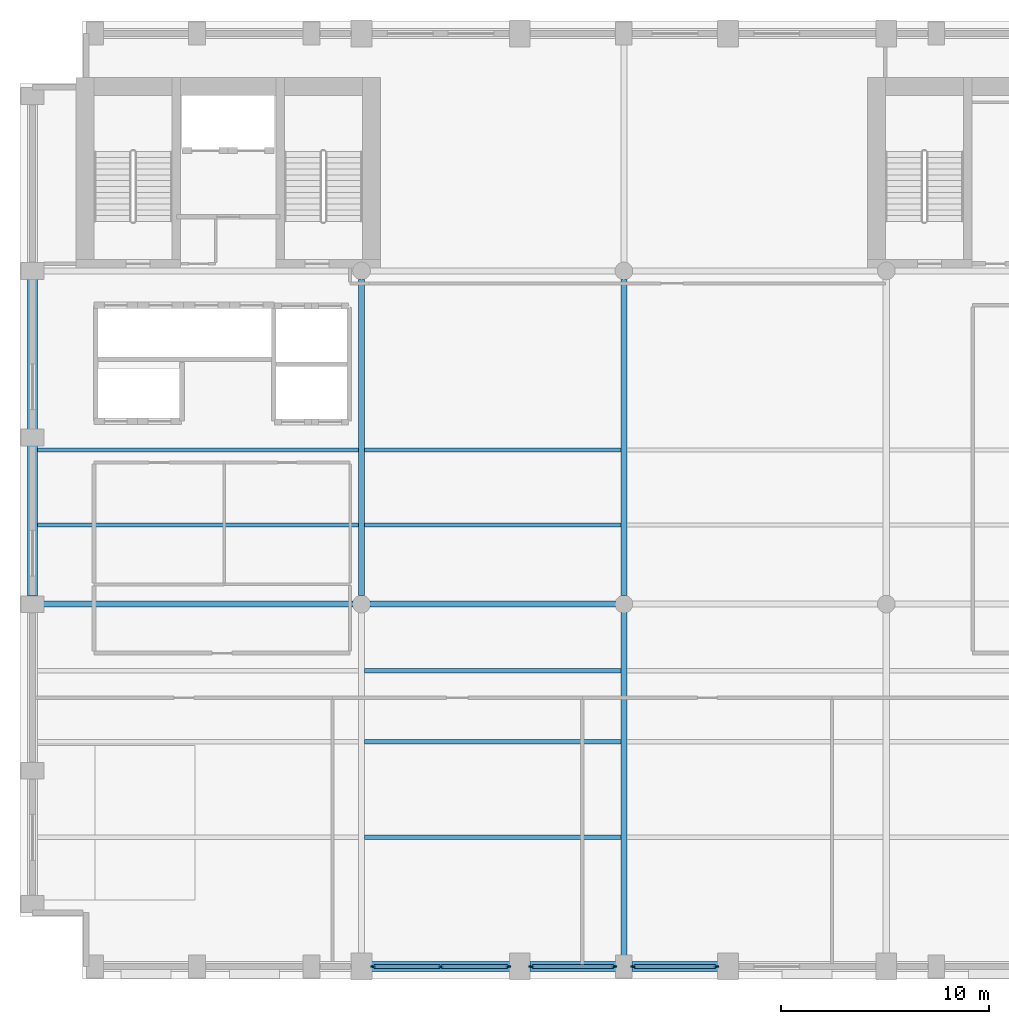
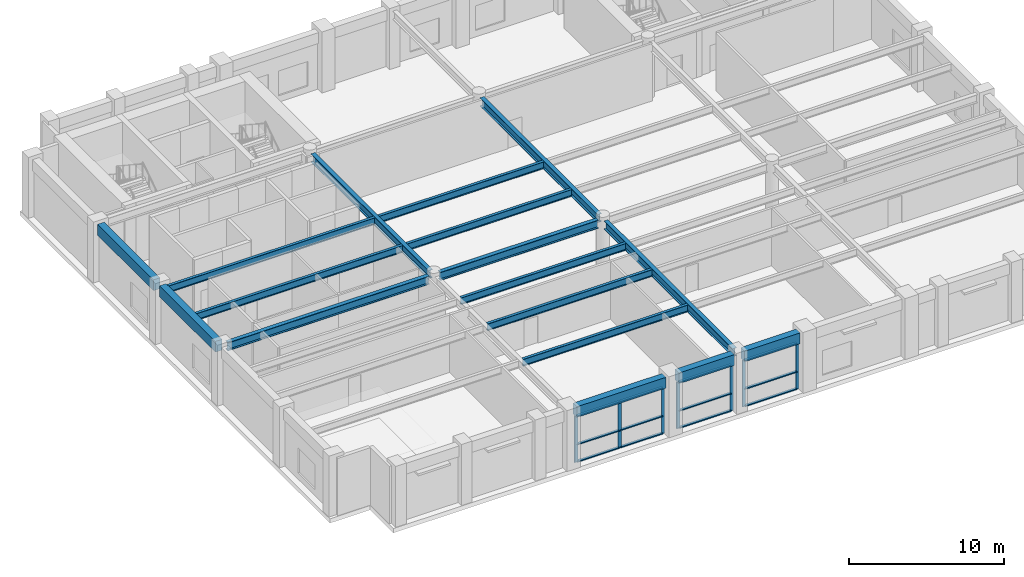
# One storey, part 2 of 10: 19 members, 17 beams, 3 elements without a shape of their own.
"""IFC4 building model written with IfcOpenShell, lengths in metres."""

from ifc_helpers import new_model, si_unit, direction, frame, origin, origin_2d, place, context, subcontext, project, spatial, rectangle, i_section, extrude, material, layer, layer_set, material_profile, profile_set, type_object, element, aggregate, save


model = new_model("IFC4")

# Units and contexts
model_context = context("Model", 3, precision=1e-05, world=origin(), true_north=direction((0.0, 1.0)))
body_context = subcontext(model_context, "Body", "Model", "MODEL_VIEW")
ifc_project = project(units=[si_unit("LENGTHUNIT", "METRE"), si_unit("AREAUNIT", "SQUARE_METRE"), si_unit("VOLUMEUNIT", "CUBIC_METRE"), si_unit("PLANEANGLEUNIT", "RADIAN"), si_unit("MASSUNIT", "GRAM", prefix="KILO")], contexts=[model_context])

# Site, building, storey
site_placement = place(None, origin())
site = spatial("IfcSite", under=ifc_project, at=site_placement, CompositionType="ELEMENT")
building_placement = place(site_placement, origin())
building = spatial("IfcBuilding", under=site, at=building_placement, Name="Sulina Concourse Tower", CompositionType="ELEMENT")
storey_placement = place(building_placement, frame((0.0, 0.0, 165.800048828125)))
storey = spatial("IfcBuildingStorey", under=building, at=storey_placement, Name="L40", CompositionType="ELEMENT", Elevation=165.800048828125)

# Beams
ifc_material_1 = material(Name="Steel S355", Category="steel")
ifc_material_profile_1 = material_profile(ifc_material_1, i_section(OverallWidth=0.2099609375, OverallDepth=0.550048828125, WebThickness=0.010986328125, FlangeThickness=0.01708984375, at=origin_2d()), Name="IPE 550")
ifc_profile_set_1 = profile_set([ifc_material_profile_1], Name="Steel S355")
beam_type_1 = type_object("IfcBeamType", Name="Composite Floor Joist IPE550", PredefinedType="JOIST", material=ifc_profile_set_1)
for number, where, z_axis, x_axis, name in (
    (1, (16.550048828125, 6.800048828125, 4.25), (1.0, 0.0, 0.0), (0.0, 1.0, 0.0), "FJ-J06-2-L40"),
    (2, (16.550048828125, 11.39990234375, 4.25), (1.0, 0.0, 0.0), (0.0, 1.0, 0.0), "FJ-J11-2-L40"),
    (3, (16.550048828125, 14.800048828125, 4.25), (1.0, 0.0, 0.0), (0.0, 1.0, 0.0), "FJ-J15-2-L40"),
):
    element("IfcBeam", number, at=place(storey_placement, frame(where, z_axis=z_axis, x_axis=x_axis)), inside=storey, type_object=beam_type_1, Name=name, PredefinedType="JOIST", context=body_context, shape_type="SweptSolid", body=[
        extrude(i_section(OverallWidth=0.2099609375, OverallDepth=0.550048828125, WebThickness=0.010986328125, FlangeThickness=0.01708984375, at=origin_2d()), origin(), (0.0, 0.0, 1.0), 12.300048828125),
    ])
beam_1_placement = place(storey_placement, frame((0.85009765625, 21.800048828125, 4.25), z_axis=(1.0, 0.0, 0.0), x_axis=(0.0, 1.0, 0.0)))
element("IfcBeam", 4, at=beam_1_placement, inside=storey, type_object=beam_type_1, Name="FJ-J22-1-L40", PredefinedType="JOIST", context=body_context, shape_type="SweptSolid", body=[
    extrude(i_section(OverallWidth=0.2099609375, OverallDepth=0.550048828125, WebThickness=0.010986328125, FlangeThickness=0.01708984375, at=origin_2d()), origin(), (0.0, 0.0, 1.0), 15.39990234375),
])
beam_2_placement = place(storey_placement, frame((16.550048828125, 21.800048828125, 4.25), z_axis=(1.0, 0.0, 0.0), x_axis=(0.0, 1.0, 0.0)))
element("IfcBeam", 5, at=beam_2_placement, inside=storey, type_object=beam_type_1, Name="FJ-J22-2-L40", PredefinedType="JOIST", context=body_context, shape_type="SweptSolid", body=[
    extrude(i_section(OverallWidth=0.2099609375, OverallDepth=0.550048828125, WebThickness=0.010986328125, FlangeThickness=0.01708984375, at=origin_2d()), origin(), (0.0, 0.0, 1.0), 12.300048828125),
])
beam_3_placement = place(storey_placement, frame((0.85009765625, 25.39990234375, 4.25), z_axis=(1.0, 0.0, 0.0), x_axis=(0.0, 1.0, 0.0)))
element("IfcBeam", 6, at=beam_3_placement, inside=storey, type_object=beam_type_1, Name="FJ-J25-1-L40", PredefinedType="JOIST", context=body_context, shape_type="SweptSolid", body=[
    extrude(i_section(OverallWidth=0.2099609375, OverallDepth=0.550048828125, WebThickness=0.010986328125, FlangeThickness=0.01708984375, at=origin_2d()), origin(), (0.0, 0.0, 1.0), 15.39990234375),
])
beam_4_placement = place(storey_placement, frame((16.550048828125, 25.39990234375, 4.25), z_axis=(1.0, 0.0, 0.0), x_axis=(0.0, 1.0, 0.0)))
element("IfcBeam", 7, at=beam_4_placement, inside=storey, type_object=beam_type_1, Name="FJ-J25-2-L40", PredefinedType="JOIST", context=body_context, shape_type="SweptSolid", body=[
    extrude(i_section(OverallWidth=0.2099609375, OverallDepth=0.550048828125, WebThickness=0.010986328125, FlangeThickness=0.01708984375, at=origin_2d()), origin(), (0.0, 0.0, 1.0), 12.300048828125),
])
ifc_material_2 = material(Name="Steel S355", Category="steel")
ifc_material_profile_2 = material_profile(ifc_material_2, i_section(OverallWidth=0.300048828125, OverallDepth=0.64990234375, WebThickness=0.01611328125, FlangeThickness=0.031005859375, at=origin_2d()), Name="HE 650 B")
ifc_profile_set_2 = profile_set([ifc_material_profile_2], Name="Steel S355")
beam_type_2 = type_object("IfcBeamType", Name="Floor Primary Girder Zone 2 HE650B", PredefinedType="BEAM", material=ifc_profile_set_2)
beam_5_placement = place(storey_placement, frame((0.97998046875, 18.0, 4.199951171875), z_axis=(1.0, 0.0, 0.0), x_axis=(0.0, 1.0, 0.0)))
element("IfcBeam", 8, at=beam_5_placement, inside=storey, type_object=beam_type_2, Name="FG-EW1-L40", PredefinedType="BEAM", context=body_context, shape_type="SweptSolid", body=[
    extrude(i_section(OverallWidth=0.300048828125, OverallDepth=0.64990234375, WebThickness=0.01611328125, FlangeThickness=0.031005859375, at=origin_2d()), origin(), (0.0, 0.0, 1.0), 15.01513671875),
])
beam_6_placement = place(storey_placement, frame((16.804931640625, 18.0, 4.199951171875), z_axis=(1.0, 0.0, 0.0), x_axis=(0.0, 1.0, 0.0)))
element("IfcBeam", 9, at=beam_6_placement, inside=storey, type_object=beam_type_2, Name="FG-EW2-L40", PredefinedType="BEAM", context=body_context, shape_type="SweptSolid", body=[
    extrude(i_section(OverallWidth=0.300048828125, OverallDepth=0.64990234375, WebThickness=0.01611328125, FlangeThickness=0.031005859375, at=origin_2d()), origin(), (0.0, 0.0, 1.0), 11.7900390625),
])
beam_7_placement = place(storey_placement, frame((16.39990234375, 18.405029296875, 4.199951171875), z_axis=(0.0, 1.0, 0.0), x_axis=(-1.0, 0.0, 0.0)))
element("IfcBeam", 10, at=beam_7_placement, inside=storey, type_object=beam_type_2, Name="FG-NSB-16-L40", PredefinedType="BEAM", context=body_context, shape_type="SweptSolid", body=[
    extrude(i_section(OverallWidth=0.300048828125, OverallDepth=0.64990234375, WebThickness=0.01611328125, FlangeThickness=0.031005859375, at=origin_2d()), origin(), (0.0, 0.0, 1.0), 15.18994140625),
])
beam_8_placement = place(storey_placement, frame((29.0, 0.97998046875, 4.199951171875), z_axis=(0.0, 1.0, 0.0), x_axis=(-1.0, 0.0, 0.0)))
element("IfcBeam", 11, at=beam_8_placement, inside=storey, type_object=beam_type_2, Name="FG-NSA-29-L40", PredefinedType="BEAM", context=body_context, shape_type="SweptSolid", body=[
    extrude(i_section(OverallWidth=0.300048828125, OverallDepth=0.64990234375, WebThickness=0.01611328125, FlangeThickness=0.031005859375, at=origin_2d()), origin(), (0.0, 0.0, 1.0), 16.614990234375),
])
beam_9_placement = place(storey_placement, frame((29.0, 18.405029296875, 4.199951171875), z_axis=(0.0, 1.0, 0.0), x_axis=(-1.0, 0.0, 0.0)))
element("IfcBeam", 12, at=beam_9_placement, inside=storey, type_object=beam_type_2, Name="FG-NSB-29-L40", PredefinedType="BEAM", context=body_context, shape_type="SweptSolid", body=[
    extrude(i_section(OverallWidth=0.300048828125, OverallDepth=0.64990234375, WebThickness=0.01611328125, FlangeThickness=0.031005859375, at=origin_2d()), origin(), (0.0, 0.0, 1.0), 15.18994140625),
])
ifc_material_3 = material(Name="Precast concrete C50/60", Category="concrete")
ifc_material_profile_3 = material_profile(ifc_material_3, rectangle(XDim=0.5, YDim=0.85009765625, at=origin_2d()), Name="RC 500x850")
ifc_profile_set_3 = profile_set([ifc_material_profile_3], Name="Precast concrete C50/60")
beam_type_3 = type_object("IfcBeamType", Name="Lower Precast Spandrel Edge Beam 500x850", PredefinedType="BEAM", material=ifc_profile_set_3)
beam_10_placement = place(storey_placement, frame((16.8798828125, 0.60009765625, 4.099853515625), z_axis=(1.0, 0.0, 0.0), x_axis=(0.0, 1.0, 0.0)))
element("IfcBeam", 13, at=beam_10_placement, inside=storey, type_object=beam_type_3, Name="SP-S4-L40", PredefinedType="BEAM", context=body_context, shape_type="SweptSolid", body=[
    extrude(rectangle(XDim=0.5, YDim=0.85009765625, at=origin_2d()), origin(), (0.0, 0.0, 1.0), 6.64013671875),
])
for number, where, z_axis, x_axis, name in (
    (14, (24.47998046875, 0.60009765625, 4.099853515625), (1.0, 0.0, 0.0), (0.0, 1.0, 0.0), "SP-S5-L40"),
    (15, (29.3798828125, 0.60009765625, 4.099853515625), (1.0, 0.0, 0.0), (0.0, 1.0, 0.0), "SP-S6-L40"),
):
    element("IfcBeam", number, at=place(storey_placement, frame(where, z_axis=z_axis, x_axis=x_axis)), inside=storey, type_object=beam_type_3, Name=name, PredefinedType="BEAM", context=body_context, shape_type="SweptSolid", body=[
        extrude(rectangle(XDim=0.5, YDim=0.85009765625, at=origin_2d()), origin(), (0.0, 0.0, 1.0), 4.14013671875),
    ])
for number, where, z_axis, x_axis, name in (
    (16, (0.60009765625, 18.3798828125, 4.099853515625), (0.0, 1.0, 0.0), (-1.0, 0.0, 0.0), "SP-W3-L40"),
    (17, (0.60009765625, 26.3798828125, 4.099853515625), (0.0, 1.0, 0.0), (-1.0, 0.0, 0.0), "SP-W4-L40"),
):
    element("IfcBeam", number, at=place(storey_placement, frame(where, z_axis=z_axis, x_axis=x_axis)), inside=storey, type_object=beam_type_3, Name=name, PredefinedType="BEAM", context=body_context, shape_type="SweptSolid", body=[
        extrude(rectangle(XDim=0.5, YDim=0.85009765625, at=origin_2d()), origin(), (0.0, 0.0, 1.0), 7.240234375),
    ])

# Curtain wall, members
ifc_material_4 = material(Name="Anodised bronze aluminium", Category="aluminium")
ifc_layer = layer(ifc_material_4, 0.260009765625)
ifc_layer_set = layer_set([ifc_layer], Name="Anodised bronze aluminium")
curtain_wall_type = type_object("IfcCurtainWallType", Name="Sky-Lobby Panorama Curtain Wall System", PredefinedType="NOTDEFINED", material=ifc_layer_set)
curtain_wall_1_placement = place(storey_placement, origin())
curtain_wall_1 = element("IfcCurtainWall", 18, at=curtain_wall_1_placement, inside=storey, type_object=curtain_wall_type, Name="L40 glazed curtain wall S4", PredefinedType="NOTDEFINED")
ifc_material_5 = material(Name="Anodised bronze aluminium", Category="aluminium")
ifc_material_profile_4 = material_profile(ifc_material_5, rectangle(XDim=0.080078125, YDim=0.239990234375, at=origin_2d()), Name="MUL 80x240")
ifc_profile_set_4 = profile_set([ifc_material_profile_4], Name="Anodised bronze aluminium")
member_type_1 = type_object("IfcMemberType", Name="Sky-Lobby Panorama Curtain Wall System Mullion 80x240", PredefinedType="MULLION", material=ifc_profile_set_4)
member_1_placement = place(storey_placement, frame((23.43994140625, 0.60009765625, 0.0), z_axis=(0.0, 0.0, 1.0), x_axis=(0.0, -1.0, 0.0)))
member_1 = element("IfcMember", 19, at=member_1_placement, type_object=member_type_1, Name="CW-03 mullion 1", PredefinedType="MULLION", context=body_context, shape_type="SweptSolid", body=[
    extrude(rectangle(XDim=0.080078125, YDim=0.239990234375, at=origin_2d()), origin(), (0.0, 0.0, 1.0), 3.675048828125),
])
member_2_placement = place(storey_placement, frame((20.199951171875, 0.60009765625, 0.0), z_axis=(0.0, 0.0, 1.0), x_axis=(0.0, -1.0, 0.0)))
member_2 = element("IfcMember", 20, at=member_2_placement, type_object=member_type_1, Name="CW-03 mullion 2", PredefinedType="MULLION", context=body_context, shape_type="SweptSolid", body=[
    extrude(rectangle(XDim=0.080078125, YDim=0.239990234375, at=origin_2d()), origin(), (0.0, 0.0, 1.0), 3.675048828125),
])
member_3_placement = place(storey_placement, frame((16.9599609375, 0.60009765625, 0.0), z_axis=(0.0, 0.0, 1.0), x_axis=(0.0, -1.0, 0.0)))
member_3 = element("IfcMember", 21, at=member_3_placement, type_object=member_type_1, Name="CW-03 mullion 3", PredefinedType="MULLION", context=body_context, shape_type="SweptSolid", body=[
    extrude(rectangle(XDim=0.080078125, YDim=0.239990234375, at=origin_2d()), origin(), (0.0, 0.0, 1.0), 3.675048828125),
])

curtain_wall_2_placement = place(storey_placement, origin())
curtain_wall_2 = element("IfcCurtainWall", 22, at=curtain_wall_2_placement, inside=storey, type_object=curtain_wall_type, Name="L40 glazed curtain wall S5", PredefinedType="NOTDEFINED")
member_4_placement = place(storey_placement, frame((28.5400390625, 0.60009765625, 0.0), z_axis=(0.0, 0.0, 1.0), x_axis=(0.0, -1.0, 0.0)))
member_4 = element("IfcMember", 23, at=member_4_placement, type_object=member_type_1, Name="CW-03 mullion 1", PredefinedType="MULLION", context=body_context, shape_type="SweptSolid", body=[
    extrude(rectangle(XDim=0.080078125, YDim=0.239990234375, at=origin_2d()), origin(), (0.0, 0.0, 1.0), 3.675048828125),
])
member_5_placement = place(storey_placement, frame((24.56005859375, 0.60009765625, 0.0), z_axis=(0.0, 0.0, 1.0), x_axis=(0.0, -1.0, 0.0)))
member_5 = element("IfcMember", 24, at=member_5_placement, type_object=member_type_1, Name="CW-03 mullion 2", PredefinedType="MULLION", context=body_context, shape_type="SweptSolid", body=[
    extrude(rectangle(XDim=0.080078125, YDim=0.239990234375, at=origin_2d()), origin(), (0.0, 0.0, 1.0), 3.675048828125),
])

curtain_wall_3_placement = place(storey_placement, origin())
curtain_wall_3 = element("IfcCurtainWall", 25, at=curtain_wall_3_placement, inside=storey, type_object=curtain_wall_type, Name="L40 glazed curtain wall S6", PredefinedType="NOTDEFINED")
member_6_placement = place(storey_placement, frame((33.43994140625, 0.60009765625, 0.0), z_axis=(0.0, 0.0, 1.0), x_axis=(0.0, -1.0, 0.0)))
member_6 = element("IfcMember", 26, at=member_6_placement, type_object=member_type_1, Name="CW-03 mullion 1", PredefinedType="MULLION", context=body_context, shape_type="SweptSolid", body=[
    extrude(rectangle(XDim=0.080078125, YDim=0.239990234375, at=origin_2d()), origin(), (0.0, 0.0, 1.0), 3.675048828125),
])
member_7_placement = place(storey_placement, frame((29.4599609375, 0.60009765625, 0.0), z_axis=(0.0, 0.0, 1.0), x_axis=(0.0, -1.0, 0.0)))
member_7 = element("IfcMember", 27, at=member_7_placement, type_object=member_type_1, Name="CW-03 mullion 2", PredefinedType="MULLION", context=body_context, shape_type="SweptSolid", body=[
    extrude(rectangle(XDim=0.080078125, YDim=0.239990234375, at=origin_2d()), origin(), (0.0, 0.0, 1.0), 3.675048828125),
])

# Member
ifc_material_6 = material(Name="Anodised bronze aluminium", Category="aluminium")
ifc_material_profile_5 = material_profile(ifc_material_6, rectangle(XDim=0.195068359375, YDim=0.080078125, at=origin_2d()), Name="TRN 80x195")
ifc_profile_set_5 = profile_set([ifc_material_profile_5], Name="Anodised bronze aluminium")
member_type_2 = type_object("IfcMemberType", Name="Sky-Lobby Panorama Curtain Wall System Transom 80x195", PredefinedType="USERDEFINED", material=ifc_profile_set_5)
member_8_placement = place(storey_placement, frame((23.39990234375, 0.60009765625, 0.0400390625), z_axis=(-1.0, 0.0, 0.0), x_axis=(0.0, -1.0, 0.0)))
member_8 = element("IfcMember", 28, at=member_8_placement, type_object=member_type_2, Name="CW-03 transom 1.1", ObjectType="TRANSOM", PredefinedType="USERDEFINED", context=body_context, shape_type="SweptSolid", body=[
    extrude(rectangle(XDim=0.195068359375, YDim=0.080078125, at=origin_2d()), origin(), (0.0, 0.0, 1.0), 3.159912109375),
])

member_9_placement = place(storey_placement, frame((23.39990234375, 0.60009765625, 1.396484375), z_axis=(-1.0, 0.0, 0.0), x_axis=(0.0, -1.0, 0.0)))
member_9 = element("IfcMember", 29, at=member_9_placement, type_object=member_type_2, Name="CW-03 transom 1.2", ObjectType="TRANSOM", PredefinedType="USERDEFINED", context=body_context, shape_type="SweptSolid", body=[
    extrude(rectangle(XDim=0.195068359375, YDim=0.080078125, at=origin_2d()), origin(), (0.0, 0.0, 1.0), 3.159912109375),
])

member_10_placement = place(storey_placement, frame((23.39990234375, 0.60009765625, 3.635009765625), z_axis=(-1.0, 0.0, 0.0), x_axis=(0.0, -1.0, 0.0)))
member_10 = element("IfcMember", 30, at=member_10_placement, type_object=member_type_2, Name="CW-03 transom 1.3", ObjectType="TRANSOM", PredefinedType="USERDEFINED", context=body_context, shape_type="SweptSolid", body=[
    extrude(rectangle(XDim=0.195068359375, YDim=0.080078125, at=origin_2d()), origin(), (0.0, 0.0, 1.0), 3.159912109375),
])

member_11_placement = place(storey_placement, frame((20.159912109375, 0.60009765625, 0.0400390625), z_axis=(-1.0, 0.0, 0.0), x_axis=(0.0, -1.0, 0.0)))
member_11 = element("IfcMember", 31, at=member_11_placement, type_object=member_type_2, Name="CW-03 transom 2.1", ObjectType="TRANSOM", PredefinedType="USERDEFINED", context=body_context, shape_type="SweptSolid", body=[
    extrude(rectangle(XDim=0.195068359375, YDim=0.080078125, at=origin_2d()), origin(), (0.0, 0.0, 1.0), 3.159912109375),
])

member_12_placement = place(storey_placement, frame((20.159912109375, 0.60009765625, 1.396484375), z_axis=(-1.0, 0.0, 0.0), x_axis=(0.0, -1.0, 0.0)))
member_12 = element("IfcMember", 32, at=member_12_placement, type_object=member_type_2, Name="CW-03 transom 2.2", ObjectType="TRANSOM", PredefinedType="USERDEFINED", context=body_context, shape_type="SweptSolid", body=[
    extrude(rectangle(XDim=0.195068359375, YDim=0.080078125, at=origin_2d()), origin(), (0.0, 0.0, 1.0), 3.159912109375),
])

member_13_placement = place(storey_placement, frame((20.159912109375, 0.60009765625, 3.635009765625), z_axis=(-1.0, 0.0, 0.0), x_axis=(0.0, -1.0, 0.0)))
member_13 = element("IfcMember", 33, at=member_13_placement, type_object=member_type_2, Name="CW-03 transom 2.3", ObjectType="TRANSOM", PredefinedType="USERDEFINED", context=body_context, shape_type="SweptSolid", body=[
    extrude(rectangle(XDim=0.195068359375, YDim=0.080078125, at=origin_2d()), origin(), (0.0, 0.0, 1.0), 3.159912109375),
])

aggregate(curtain_wall_1, [member_1, member_2, member_3, member_8, member_9, member_10, member_11, member_12, member_13])

member_14_placement = place(storey_placement, frame((28.5, 0.60009765625, 0.0400390625), z_axis=(-1.0, 0.0, 0.0), x_axis=(0.0, -1.0, 0.0)))
member_14 = element("IfcMember", 34, at=member_14_placement, type_object=member_type_2, Name="CW-03 transom 1.1", ObjectType="TRANSOM", PredefinedType="USERDEFINED", context=body_context, shape_type="SweptSolid", body=[
    extrude(rectangle(XDim=0.195068359375, YDim=0.080078125, at=origin_2d()), origin(), (0.0, 0.0, 1.0), 3.89990234375),
])

member_15_placement = place(storey_placement, frame((28.5, 0.60009765625, 1.396484375), z_axis=(-1.0, 0.0, 0.0), x_axis=(0.0, -1.0, 0.0)))
member_15 = element("IfcMember", 35, at=member_15_placement, type_object=member_type_2, Name="CW-03 transom 1.2", ObjectType="TRANSOM", PredefinedType="USERDEFINED", context=body_context, shape_type="SweptSolid", body=[
    extrude(rectangle(XDim=0.195068359375, YDim=0.080078125, at=origin_2d()), origin(), (0.0, 0.0, 1.0), 3.89990234375),
])

member_16_placement = place(storey_placement, frame((28.5, 0.60009765625, 3.635009765625), z_axis=(-1.0, 0.0, 0.0), x_axis=(0.0, -1.0, 0.0)))
member_16 = element("IfcMember", 36, at=member_16_placement, type_object=member_type_2, Name="CW-03 transom 1.3", ObjectType="TRANSOM", PredefinedType="USERDEFINED", context=body_context, shape_type="SweptSolid", body=[
    extrude(rectangle(XDim=0.195068359375, YDim=0.080078125, at=origin_2d()), origin(), (0.0, 0.0, 1.0), 3.89990234375),
])

aggregate(curtain_wall_2, [member_4, member_5, member_14, member_15, member_16])

member_17_placement = place(storey_placement, frame((33.39990234375, 0.60009765625, 0.0400390625), z_axis=(-1.0, 0.0, 0.0), x_axis=(0.0, -1.0, 0.0)))
member_17 = element("IfcMember", 37, at=member_17_placement, type_object=member_type_2, Name="CW-03 transom 1.1", ObjectType="TRANSOM", PredefinedType="USERDEFINED", context=body_context, shape_type="SweptSolid", body=[
    extrude(rectangle(XDim=0.195068359375, YDim=0.080078125, at=origin_2d()), origin(), (0.0, 0.0, 1.0), 3.89990234375),
])

member_18_placement = place(storey_placement, frame((33.39990234375, 0.60009765625, 1.396484375), z_axis=(-1.0, 0.0, 0.0), x_axis=(0.0, -1.0, 0.0)))
member_18 = element("IfcMember", 38, at=member_18_placement, type_object=member_type_2, Name="CW-03 transom 1.2", ObjectType="TRANSOM", PredefinedType="USERDEFINED", context=body_context, shape_type="SweptSolid", body=[
    extrude(rectangle(XDim=0.195068359375, YDim=0.080078125, at=origin_2d()), origin(), (0.0, 0.0, 1.0), 3.89990234375),
])

member_19_placement = place(storey_placement, frame((33.39990234375, 0.60009765625, 3.635009765625), z_axis=(-1.0, 0.0, 0.0), x_axis=(0.0, -1.0, 0.0)))
member_19 = element("IfcMember", 39, at=member_19_placement, type_object=member_type_2, Name="CW-03 transom 1.3", ObjectType="TRANSOM", PredefinedType="USERDEFINED", context=body_context, shape_type="SweptSolid", body=[
    extrude(rectangle(XDim=0.195068359375, YDim=0.080078125, at=origin_2d()), origin(), (0.0, 0.0, 1.0), 3.89990234375),
])

aggregate(curtain_wall_3, [member_6, member_7, member_17, member_18, member_19])

save(model, "model.ifc")
